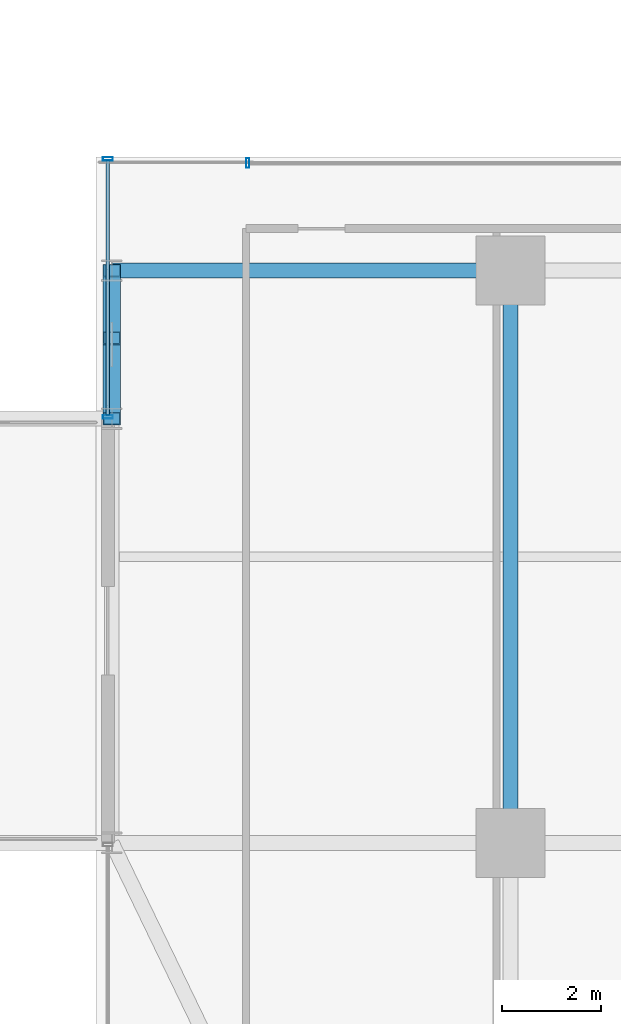
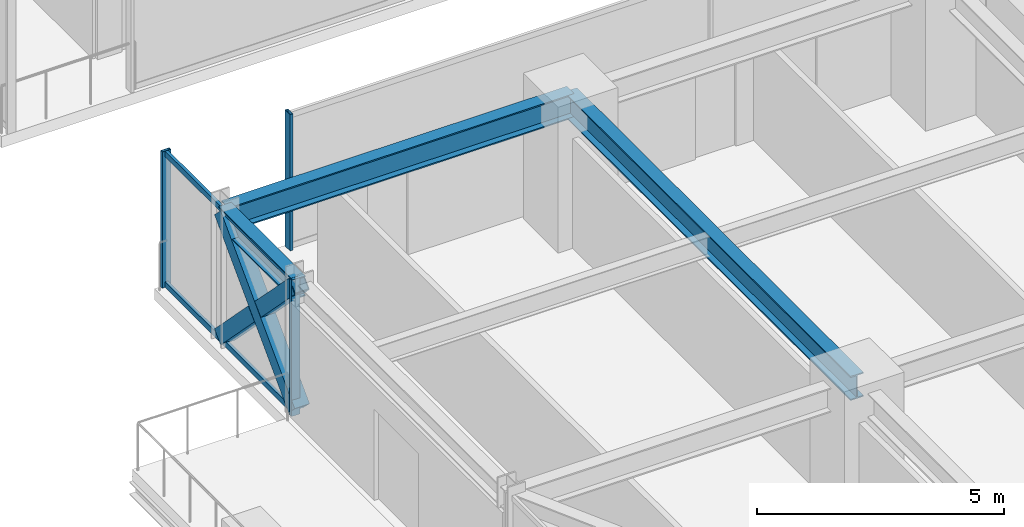
# One storey, part 8 of 38: 8 members, 3 beams, 2 elements without a shape of their own.
"""IFC4 building model written with IfcOpenShell, lengths in metres."""

from ifc_helpers import new_model, si_unit, direction, frame, origin, origin_2d, place, context, subcontext, project, spatial, hollow_rectangle, i_section, extrude, source, transform, mapped, material, material_profile, profile_set, type_object, element, aggregate, save


model = new_model("IFC4")

# Units and contexts
model_context = context("Model", 3, precision=1e-05, world=origin(), true_north=direction((0.0, 1.0)))
body_context = subcontext(model_context, "Body", "Model", "MODEL_VIEW")
ifc_project = project(units=[si_unit("LENGTHUNIT", "METRE"), si_unit("AREAUNIT", "SQUARE_METRE"), si_unit("VOLUMEUNIT", "CUBIC_METRE"), si_unit("PLANEANGLEUNIT", "RADIAN"), si_unit("MASSUNIT", "GRAM", prefix="KILO")], contexts=[model_context])

# Site, building, storey
site_placement = place(None, origin())
site = spatial("IfcSite", under=ifc_project, at=site_placement, CompositionType="ELEMENT")
building_placement = place(site_placement, origin())
building = spatial("IfcBuilding", under=site, at=building_placement, Name="Nahalor Promenade Grand Hotel", CompositionType="ELEMENT")
storey_placement = place(building_placement, frame((0.0, 0.0, 50.64990234375)))
storey = spatial("IfcBuildingStorey", under=building, at=storey_placement, Name="L11", CompositionType="ELEMENT", Elevation=50.64990234375)

# Beams
ifc_material_1 = material(Name="Steel S355JR", Category="steel")
ifc_material_profile_1 = material_profile(ifc_material_1, i_section(OverallWidth=0.3, OverallDepth=0.6, WebThickness=0.0155, FlangeThickness=0.03, at=origin_2d()), Name="HEB 600")
ifc_profile_set_1 = profile_set([ifc_material_profile_1], Name="Steel S355JR")
beam_type_1 = type_object("IfcBeamType", Name="Beam-Girder-HEB600", PredefinedType="BEAM", material=ifc_profile_set_1)
shared_shape_1 = source(origin(), body_context, "Body", "SweptSolid", [
    extrude(i_section(OverallWidth=0.3, OverallDepth=0.6, WebThickness=0.0155, FlangeThickness=0.03, at=origin_2d()), origin(), (0.0, 0.0, 1.0), 11.60009765625),
])
beam_1_placement = place(storey_placement, frame((-17.0, -17.0, 3.070068359375), z_axis=(0.0, 1.0, 0.0), x_axis=(-1.0, 0.0, 0.0)))
element("IfcBeam", 1, at=beam_1_placement, inside=storey, type_object=beam_type_1, Name="BM-L11-GY-0-1", PredefinedType="BEAM", context=body_context, shape_type="MappedRepresentation", body=[
    mapped(shared_shape_1, transform((0.0, 0.0, 0.0), scale=1.0)),
])
ifc_material_profile_2 = material_profile(ifc_material_1, i_section(OverallWidth=0.3, OverallDepth=0.5, WebThickness=0.0145, FlangeThickness=0.028, at=origin_2d()), Name="HEB 500")
ifc_profile_set_2 = profile_set([ifc_material_profile_2], Name="Steel S355JR")
beam_type_2 = type_object("IfcBeamType", Name="Beam-Spandrel-HEB500", PredefinedType="SPANDREL", material=ifc_profile_set_2)
shared_shape_2 = source(origin(), body_context, "Body", "SweptSolid", [
    extrude(i_section(OverallWidth=0.3, OverallDepth=0.5, WebThickness=0.0145, FlangeThickness=0.028, at=origin_2d()), origin(), (0.0, 0.0, 1.0), 3.0),
])
beam_2_placement = place(storey_placement, frame((-25.080078125, -8.39990234375, 3.1201171875), z_axis=(0.0, 1.0, 0.0), x_axis=(-1.0, 0.0, 0.0)))
element("IfcBeam", 2, at=beam_2_placement, inside=storey, type_object=beam_type_2, Name="BM-L11-SP-W-1", PredefinedType="SPANDREL", context=body_context, shape_type="MappedRepresentation", body=[
    mapped(shared_shape_2, transform((0.0, 0.0, 0.0), scale=1.0)),
])
shared_shape_3 = source(origin(), body_context, "Body", "SweptSolid", [
    extrude(i_section(OverallWidth=0.3, OverallDepth=0.6, WebThickness=0.0155, FlangeThickness=0.03, at=origin_2d()), origin(), (0.0, 0.0, 1.0), 8.080078125),
])
beam_3_placement = place(storey_placement, frame((-25.080078125, -5.39990234375, 3.070068359375), z_axis=(1.0, 0.0, 0.0), x_axis=(0.0, 1.0, 0.0)))
element("IfcBeam", 3, at=beam_3_placement, inside=storey, type_object=beam_type_1, Name="BM-L11-GX-1-0", PredefinedType="BEAM", context=body_context, shape_type="MappedRepresentation", body=[
    mapped(shared_shape_3, transform((0.0, 0.0, 0.0), scale=1.0)),
])

# Members
ifc_material_profile_3 = material_profile(ifc_material_1, hollow_rectangle(XDim=0.35, YDim=0.35, WallThickness=0.02, at=origin_2d()), Name="SHS 350x350x20")
ifc_profile_set_3 = profile_set([ifc_material_profile_3], Name="Steel S355JR")
member_type_1 = type_object("IfcMemberType", Name="Mem-VoidBrace-SHS350", PredefinedType="BRACE", material=ifc_profile_set_3)
shared_shape_4 = source(origin(), body_context, "Body", "SweptSolid", [
    extrude(hollow_rectangle(XDim=0.35, YDim=0.35, WallThickness=0.02, at=origin_2d()), origin(), (0.0, 0.0, 1.0), 4.29248046875),
])
member_1_placement = place(storey_placement, frame((-25.080078125, -8.39990234375, 0.150146484375), z_axis=(0.0, 0.698897904453, 0.715221447631), x_axis=(-1.0, 0.0, 0.0)))
element("IfcMember", 4, at=member_1_placement, inside=storey, type_object=member_type_1, Name="EXO-L11-VX1-W0", PredefinedType="BRACE", context=body_context, shape_type="MappedRepresentation", body=[
    mapped(shared_shape_4, transform((0.0, 0.0, 0.0), scale=1.0)),
])
shared_shape_5 = source(origin(), body_context, "Body", "SweptSolid", [
    extrude(hollow_rectangle(XDim=0.35, YDim=0.35, WallThickness=0.02, at=origin_2d()), origin(), (0.0, 0.0, 1.0), 1.959228515625),
])
for number, where, z_axis, x_axis, name in (
    (5, (-25.080078125, -5.39990234375, 0.150146484375), (0.0, -0.698960471031, 0.715160303663), (1.0, 0.0, 0.0), "EXO-L11-VX2-W0A"),
    (6, (-25.080078125, -7.03076171875, 1.81884765625), (0.0, -0.698834435327, 0.715283462692), (1.0, 0.0, 0.0), "EXO-L11-VX2-W0B"),
):
    element("IfcMember", number, at=place(storey_placement, frame(where, z_axis=z_axis, x_axis=x_axis)), inside=storey, type_object=member_type_1, Name=name, PredefinedType="BRACE", context=body_context, shape_type="MappedRepresentation", body=[
        mapped(shared_shape_5, transform((0.0, 0.0, 0.0), scale=1.0)),
    ])

# Curtain wall, members
ifc_material_2 = material(Name="Anodised Bronze Aluminium EN AW-6063 T6", Category="aluminium")
curtain_wall_type = type_object("IfcCurtainWallType", Name="CW3 Elliptical-Void Collar Unitised Curtain Wall", PredefinedType="USERDEFINED", material=ifc_material_2)
curtain_wall_1_placement = place(storey_placement, origin())
curtain_wall_1 = element("IfcCurtainWall", 7, at=curtain_wall_1_placement, inside=storey, type_object=curtain_wall_type, Name="L11 Curtain Wall CW-L11-W-3", ObjectType="UNITISED_CURTAIN_WALL", PredefinedType="USERDEFINED")
ifc_material_profile_4 = material_profile(ifc_material_2, hollow_rectangle(XDim=0.07, YDim=0.2, WallThickness=0.005, at=origin_2d()), Name="CWM 70x200x5")
ifc_profile_set_4 = profile_set([ifc_material_profile_4], Name="Anodised Bronze Aluminium EN AW-6063 T6")
member_type_2 = type_object("IfcMemberType", Name="CWM3 Void Collar Mullion 70x200", PredefinedType="MULLION", material=ifc_profile_set_4)
shared_shape_6 = source(origin(), body_context, "Body", "SweptSolid", [
    extrude(hollow_rectangle(XDim=0.07, YDim=0.2, WallThickness=0.005, at=origin_2d()), origin(), (0.0, 0.0, 1.0), 3.3701171875),
])
member_2_placement = place(storey_placement, frame((-25.159912109375, -8.364990234375, 0.0), z_axis=(0.0, 0.0, 1.0), x_axis=(0.0, 1.0, 0.0)))
member_2 = element("IfcMember", 8, at=member_2_placement, type_object=member_type_2, Name="CW-L11-W-3 Mullion 0", PredefinedType="MULLION", context=body_context, shape_type="MappedRepresentation", body=[
    mapped(shared_shape_6, transform((0.0, 0.0, 0.0), scale=1.0)),
])
member_3_placement = place(storey_placement, frame((-25.159912109375, -3.135009765625, 0.0), z_axis=(0.0, 0.0, 1.0), x_axis=(0.0, 1.0, 0.0)))
member_3 = element("IfcMember", 9, at=member_3_placement, type_object=member_type_2, Name="CW-L11-W-3 Mullion 1", PredefinedType="MULLION", context=body_context, shape_type="MappedRepresentation", body=[
    mapped(shared_shape_6, transform((0.0, 0.0, 0.0), scale=1.0)),
])

# Curtain wall, member
curtain_wall_2_placement = place(storey_placement, origin())
curtain_wall_2 = element("IfcCurtainWall", 10, at=curtain_wall_2_placement, inside=storey, type_object=curtain_wall_type, Name="L11 Curtain Wall CW-L11-VOID-WS1", ObjectType="UNITISED_CURTAIN_WALL", PredefinedType="USERDEFINED")
member_4_placement = place(storey_placement, frame((-22.324951171875, -3.219970703125, 0.0), z_axis=(0.0, 0.0, 1.0), x_axis=(1.0, 0.0, 0.0)))
member_4 = element("IfcMember", 11, at=member_4_placement, type_object=member_type_2, Name="CW-L11-VOID-WS1 Mullion 0", PredefinedType="MULLION", context=body_context, shape_type="MappedRepresentation", body=[
    mapped(shared_shape_6, transform((0.0, 0.0, 0.0), scale=1.0)),
])
aggregate(curtain_wall_2, [member_4])

# Member
ifc_material_profile_5 = material_profile(ifc_material_2, hollow_rectangle(XDim=0.07, YDim=0.14, WallThickness=0.004, at=origin_2d()), Name="CWT 70x140x4")
ifc_profile_set_5 = profile_set([ifc_material_profile_5], Name="Anodised Bronze Aluminium EN AW-6063 T6")
member_type_3 = type_object("IfcMemberType", Name="CWT3 Void Collar Transom 70x140", PredefinedType="USERDEFINED", material=ifc_profile_set_5)
shared_shape_7 = source(origin(), body_context, "Body", "SweptSolid", [
    extrude(hollow_rectangle(XDim=0.07, YDim=0.14, WallThickness=0.004, at=origin_2d()), origin(), (0.0, 0.0, 1.0), 5.16015625),
])
member_5_placement = place(storey_placement, frame((-25.159912109375, -8.330078125, 0.070068359375), z_axis=(0.0, 1.0, 0.0), x_axis=(-1.0, 0.0, 0.0)))
member_5 = element("IfcMember", 12, at=member_5_placement, type_object=member_type_3, Name="CW-L11-W-3 Transom 0-0", ObjectType="TRANSOM", PredefinedType="USERDEFINED", context=body_context, shape_type="MappedRepresentation", body=[
    mapped(shared_shape_7, transform((0.0, 0.0, 0.0), scale=1.0)),
])

member_6_placement = place(storey_placement, frame((-25.159912109375, -8.330078125, 3.300048828125), z_axis=(0.0, 1.0, 0.0), x_axis=(-1.0, 0.0, 0.0)))
member_6 = element("IfcMember", 13, at=member_6_placement, type_object=member_type_3, Name="CW-L11-W-3 Transom 0-1", ObjectType="TRANSOM", PredefinedType="USERDEFINED", context=body_context, shape_type="MappedRepresentation", body=[
    mapped(shared_shape_7, transform((0.0, 0.0, 0.0), scale=1.0)),
])

aggregate(curtain_wall_1, [member_2, member_3, member_5, member_6])

save(model, "model.ifc")
